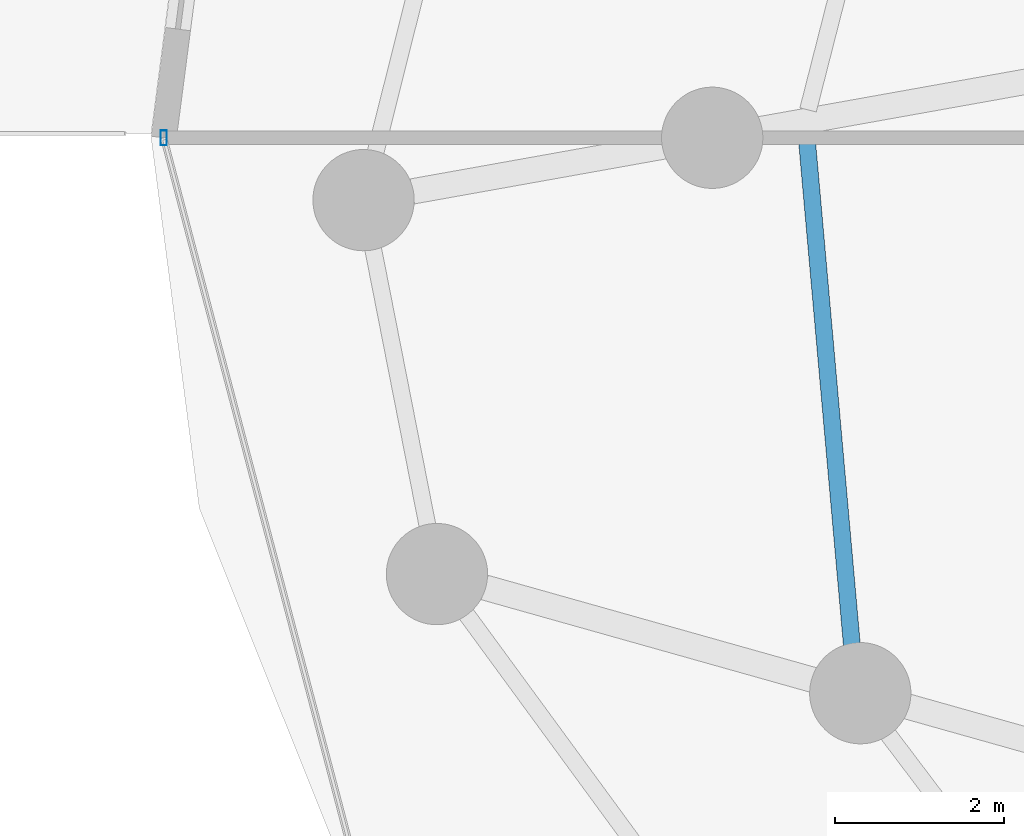
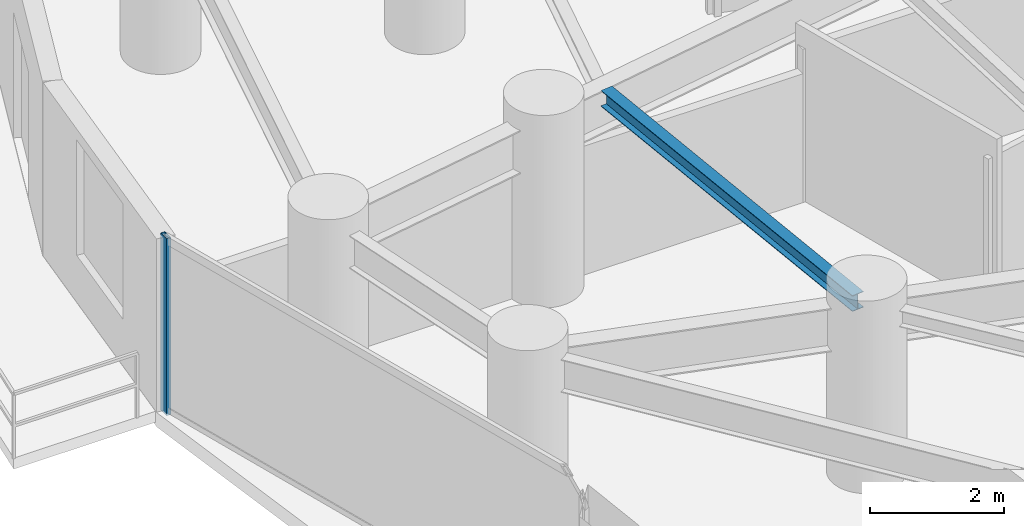
# One storey, part 8 of 34: 1 beam, 1 member, 1 element without a shape of its own.
"""IFC4 building model written with IfcOpenShell, lengths in metres."""

from ifc_helpers import new_model, si_unit, direction, frame, origin, origin_2d, place, context, subcontext, project, spatial, hollow_rectangle, i_section, extrude, material, material_profile, profile_set, type_object, element, aggregate, save


model = new_model("IFC4")

# Units and contexts
model_context = context("Model", 3, precision=1e-05, world=origin(), true_north=direction((0.0, 1.0)))
body_context = subcontext(model_context, "Body", "Model", "MODEL_VIEW")
ifc_project = project(units=[si_unit("LENGTHUNIT", "METRE"), si_unit("AREAUNIT", "SQUARE_METRE"), si_unit("VOLUMEUNIT", "CUBIC_METRE"), si_unit("PLANEANGLEUNIT", "RADIAN"), si_unit("MASSUNIT", "GRAM", prefix="KILO")], contexts=[model_context])

# Site, building, storey
site_placement = place(None, origin())
site = spatial("IfcSite", under=ifc_project, at=site_placement, CompositionType="ELEMENT")
building_placement = place(site_placement, origin())
building = spatial("IfcBuilding", under=site, at=building_placement, Name="Vorneva Point Tower", CompositionType="ELEMENT")
storey_placement = place(building_placement, frame((0.0, 0.0, 66.0)))
storey = spatial("IfcBuildingStorey", under=building, at=storey_placement, Name="L17", CompositionType="ELEMENT", Elevation=66.0)

# Beam
ifc_material_1 = material(Name="Steel S355", Category="steel")
ifc_material_profile_1 = material_profile(ifc_material_1, i_section(OverallWidth=0.199951171875, OverallDepth=0.291015625, WebThickness=0.008056640625, FlangeThickness=0.010986328125, at=origin_2d()), Name="30Sh1")
ifc_profile_set_1 = profile_set([ifc_material_profile_1], Name="Steel S355")
beam_type = type_object("IfcBeamType", Name="BM-SEC-30Sh1", PredefinedType="BEAM", material=ifc_profile_set_1)
beam_placement = place(storey_placement, frame((16.064453125, 26.059814453125, 3.00439453125), z_axis=(0.088684352067, -0.996059780183, 0.0), x_axis=(0.996059780183, 0.088684352067, 0.0)))
element("IfcBeam", 1, at=beam_placement, inside=storey, type_object=beam_type, Name="L17 Secondary Floor Beam 1.09", PredefinedType="BEAM", context=body_context, shape_type="SweptSolid", body=[
    extrude(i_section(OverallWidth=0.199951171875, OverallDepth=0.291015625, WebThickness=0.008056640625, FlangeThickness=0.010986328125, at=origin_2d()), origin(), (0.0, 0.0, 1.0), 6.51611328125),
])

# Curtain wall, member
ifc_material_2 = material(Name="Pale anodised aluminium", Category="aluminium")
curtain_wall_type = type_object("IfcCurtainWallType", Name="CW-HTL-SYS", PredefinedType="NOTDEFINED", material=ifc_material_2)
curtain_wall_placement = place(storey_placement, origin())
curtain_wall = element("IfcCurtainWall", 2, at=curtain_wall_placement, inside=storey, type_object=curtain_wall_type, Name="L17 Unitised Curtain Wall CW-L17-R03", PredefinedType="NOTDEFINED")
ifc_material_profile_2 = material_profile(ifc_material_2, hollow_rectangle(XDim=0.074951171875, YDim=0.179931640625, WallThickness=0.00390625, at=origin_2d()), Name="AL-MUL 180x75x4")
ifc_profile_set_2 = profile_set([ifc_material_profile_2], Name="Pale anodised aluminium")
member_type = type_object("IfcMemberType", Name="CW-MUL-180", PredefinedType="MULLION", material=ifc_profile_set_2)
member_placement = place(storey_placement, frame((8.449951171875, 26.0, -0.0400390625), z_axis=(0.0, 0.0, 1.0), x_axis=(1.0, 0.0, 0.0)))
member = element("IfcMember", 3, at=member_placement, type_object=member_type, Name="CW-L17-R03 Mullion 01", PredefinedType="MULLION", context=body_context, shape_type="SweptSolid", body=[
    extrude(hollow_rectangle(XDim=0.074951171875, YDim=0.179931640625, WallThickness=0.00390625, at=origin_2d()), origin(), (0.0, 0.0, 1.0), 3.219970703125),
])
aggregate(curtain_wall, [member])

save(model, "model.ifc")
